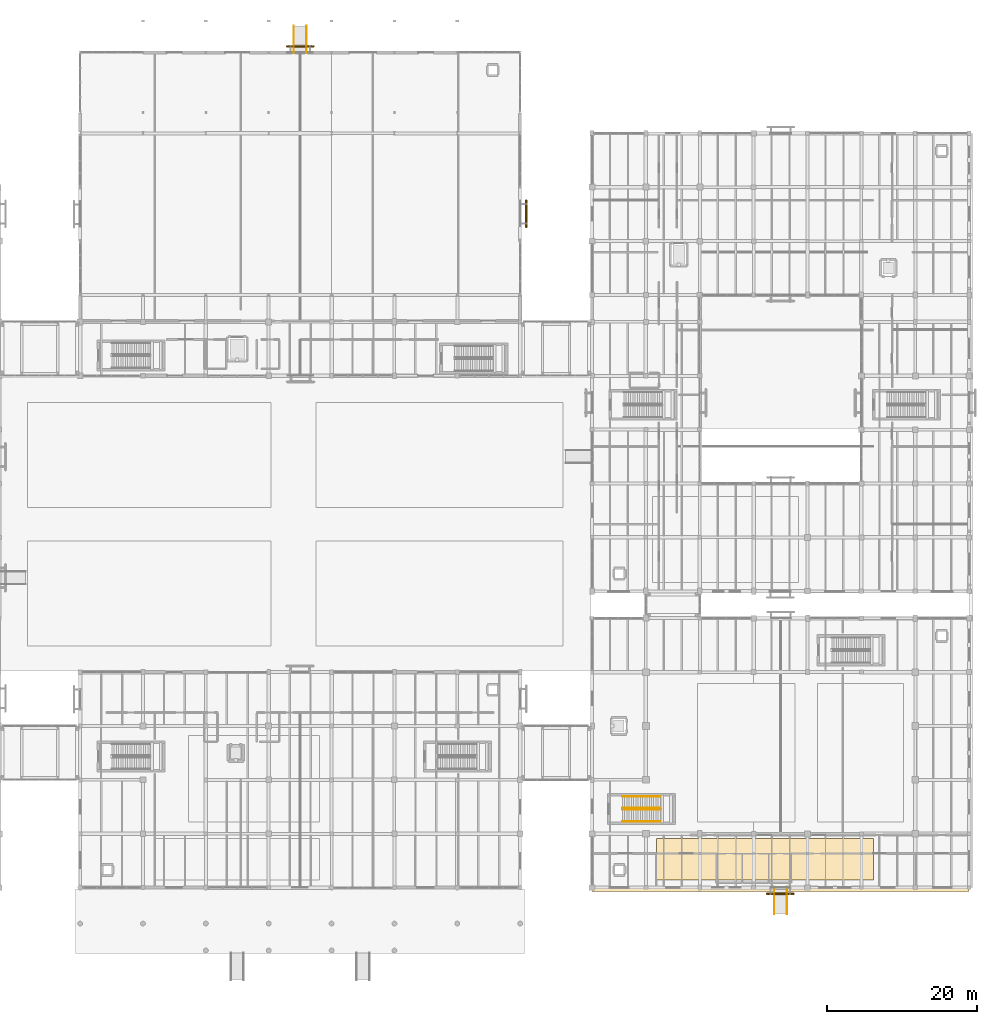
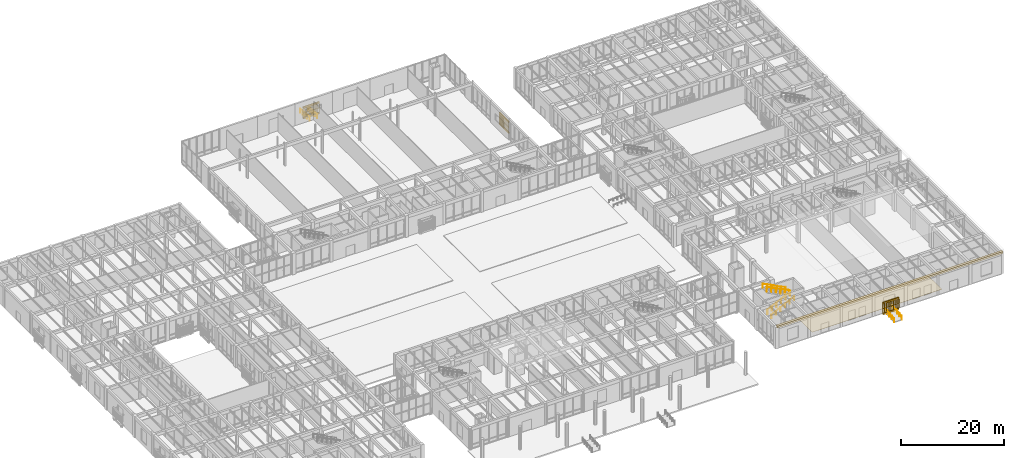
# One storey, part 159 of 169: 14 railings, 8 coverings.
"""IFC4 building model written with IfcOpenShell, lengths in metres."""

import ifcopenshell
import ifcopenshell.guid

model = None  # the IFC model being written
_history = None  # IfcOwnerHistory: only IFC2X3 demands one
_inside = {}  # id of a spatial element -> (the spatial element, [elements in it])
_under = {}  # id of a project, library or spatial element -> (it, [spatial elements below it])
_declared = {}  # id of a project -> (the project, [libraries it declares])
_typed = {}  # id of a type object -> (the type object, [elements of that type])
_made_of = {}  # id of a material, layer set ... -> (it, [elements and type objects made of it])


def new_model(schema):
    """Start an empty IFC model of exactly this schema.

    Asked for "IFC4X3", IfcOpenShell would pick the latest addendum, in which some entities
    have other attributes; the version numbers below select the first issue.
    IFC2X3 requires an IfcOwnerHistory on every rooted entity: one is made here for all.
    """
    global model, _history
    if schema == "IFC4X3":
        model = ifcopenshell.file(schema_version=(4, 3, 0, 0))
    else:
        model = ifcopenshell.file(schema=schema)
    _inside.clear()
    _under.clear()
    _declared.clear()
    _typed.clear()
    _made_of.clear()
    _history = None
    if model.schema == "IFC2X3":
        org = make("IfcOrganization", Name="unknown")
        user = make(
            "IfcPersonAndOrganization",
            ThePerson=make("IfcPerson", FamilyName="unknown"),
            TheOrganization=org,
        )
        app = make(
            "IfcApplication",
            ApplicationDeveloper=org,
            Version="unknown",
            ApplicationFullName="unknown",
            ApplicationIdentifier="unknown",
        )
        _history = make(
            "IfcOwnerHistory",
            OwningUser=user,
            OwningApplication=app,
            ChangeAction="ADDED",
            CreationDate=0,
        )
    return model


def make(cls, **values):
    """One entity of the class cls with the attributes given. An attribute that is None is left unset."""
    return model.create_entity(
        cls, **{name: value for name, value in values.items() if value is not None}
    )


def rooted(cls, **values):
    """An entity with a GlobalId (a new one), such as an element, a storey or a relation."""
    return make(cls, GlobalId=ifcopenshell.guid.new(), OwnerHistory=_history, **values)


def si_unit(unit_type, name, prefix=None):
    """IfcSIUnit, for example si_unit("LENGTHUNIT", "METRE", prefix="MILLI")."""
    return make("IfcSIUnit", UnitType=unit_type, Prefix=prefix, Name=name)


def assignment(units):
    """IfcUnitAssignment: the units of a project."""
    return None if units is None else make("IfcUnitAssignment", Units=units)


def point(xyz):
    """IfcCartesianPoint."""
    return None if xyz is None else make("IfcCartesianPoint", Coordinates=xyz)


def direction(xyz):
    """IfcDirection."""
    return None if xyz is None else make("IfcDirection", DirectionRatios=xyz)


def frame(location, z_axis=None, x_axis=None):
    """IfcAxis2Placement3D, a coordinate frame: its origin and axes. An axis left out is left unset."""
    return make(
        "IfcAxis2Placement3D",
        Location=point(location),
        Axis=direction(z_axis),
        RefDirection=direction(x_axis),
    )


def frame_2d(location, x_axis=None):
    """IfcAxis2Placement2D, a coordinate frame in the plane: its origin and x axis."""
    return make(
        "IfcAxis2Placement2D", Location=point(location), RefDirection=direction(x_axis)
    )


def origin():
    """The frame at (0, 0, 0) with its axes left unset."""
    return frame((0.0, 0.0, 0.0))


def origin_2d():
    """The frame at (0, 0) in the plane with its x axis left unset."""
    return frame_2d((0.0, 0.0))


def place(relative_to, where):
    """IfcLocalPlacement: puts the frame where relative to a parent placement (None: the world)."""
    return make(
        "IfcLocalPlacement", PlacementRelTo=relative_to, RelativePlacement=where
    )


def context(
    kind, dimensions, precision=None, world=None, true_north=None, identifier=None
):
    """IfcGeometricRepresentationContext, for example the 3D "Model" context."""
    return make(
        "IfcGeometricRepresentationContext",
        ContextIdentifier=identifier,
        ContextType=kind,
        CoordinateSpaceDimension=dimensions,
        Precision=precision,
        WorldCoordinateSystem=world,
        TrueNorth=true_north,
    )


def subcontext(parent, identifier, kind, view, scale=None):
    """IfcGeometricRepresentationSubContext, for example "Body" below "Model"."""
    return make(
        "IfcGeometricRepresentationSubContext",
        ContextIdentifier=identifier,
        ContextType=kind,
        ParentContext=parent,
        TargetScale=scale,
        TargetView=view,
    )


def project(units=None, contexts=None):
    """IfcProject with its units and contexts."""
    return rooted(
        "IfcProject",
        Name="project",
        RepresentationContexts=contexts,
        UnitsInContext=assignment(units),
    )


def spatial(cls, under=None, at=None, **own):
    """A site, building, storey or space (cls), placed at a placement, below another one or the project."""
    s = rooted(cls, ObjectPlacement=at, **own)
    if under is not None:
        _under.setdefault(under.id(), (under, []))[1].append(s)
    return s


def polyline(points):
    """IfcPolyline through the points."""
    return make("IfcPolyline", Points=[point(p) for p in points])


def profile(cls, at=None, kind="AREA", **sizes):
    """A parametric profile (cls). Its sizes go by their IFC names, for example OverallWidth=200.0."""
    return make(cls, ProfileType=kind, Position=at, **sizes)


def circle(**sizes):
    """IfcCircleProfileDef."""
    return profile("IfcCircleProfileDef", **sizes)


def outline(outer, holes=None, kind="AREA"):
    """IfcArbitraryClosedProfileDef: a profile drawn as a closed curve; with holes, ...WithVoids."""
    if holes is None:
        return make("IfcArbitraryClosedProfileDef", ProfileType=kind, OuterCurve=outer)
    return make(
        "IfcArbitraryProfileDefWithVoids",
        ProfileType=kind,
        OuterCurve=outer,
        InnerCurves=holes,
    )


def extrude(swept, where, along, depth):
    """IfcExtrudedAreaSolid: the profile swept, set in the frame where, extruded along a direction by depth."""
    return make(
        "IfcExtrudedAreaSolid",
        SweptArea=swept,
        Position=where,
        ExtrudedDirection=direction(along),
        Depth=depth,
    )


def shape(context_of_items, identifier, shape_type, items):
    """IfcShapeRepresentation: the items that make up one representation, for example the "Body"."""
    return make(
        "IfcShapeRepresentation",
        ContextOfItems=context_of_items,
        RepresentationIdentifier=identifier,
        RepresentationType=shape_type,
        Items=items,
    )


def material(Name=None, Category=None):
    """IfcMaterial."""
    return make("IfcMaterial", Name=Name, Category=Category)


def layer(
    of_material, thickness, ventilated=None, Name=None, Category=None, Priority=None
):
    """IfcMaterialLayer: one layer of a wall or slab, of a material (None: an air gap)."""
    return make(
        "IfcMaterialLayer",
        Material=of_material,
        LayerThickness=thickness,
        IsVentilated=ventilated,
        Name=Name,
        Category=Category,
        Priority=Priority,
    )


def layer_set(layers, Name=None):
    """IfcMaterialLayerSet."""
    return make("IfcMaterialLayerSet", MaterialLayers=layers, LayerSetName=Name)


def made_of(thing, what):
    """Note that an element or type object is made of a material, layer set ...; save() writes the relation."""
    if what is not None:
        _made_of.setdefault(what.id(), (what, []))[1].append(thing)
    return thing


def type_object(cls, material=None, **own):
    """A type object (cls), such as IfcWallType, which elements share."""
    return made_of(rooted(cls, **own), material)


def element(
    cls,
    number,
    at=None,
    inside=None,
    cuts=None,
    type_object=None,
    material=None,
    context=None,
    identifier="Body",
    shape_type=None,
    held_by="IfcProductDefinitionShape",
    body=None,
    shapes=None,
    **own,
):
    """One element of the class cls, such as IfcWall. Its Tag is "e" and its number.

    at: its placement. inside: the storey or other place that contains it. cuts: it is an
    opening in that element (IfcRelVoidsElement). A single representation is given by context,
    identifier, shape_type and body (its items); several are given by shapes. held_by: the class
    of the entity that holds the representations. save() writes the other relations.
    """
    e = rooted(cls, Tag="e%d" % number, ObjectPlacement=at, **own)
    if body is not None:
        shapes = [shape(context, identifier, shape_type, body)]
    if shapes is not None:
        e.Representation = make(held_by, Representations=shapes)
    if inside is not None:
        _inside.setdefault(inside.id(), (inside, []))[1].append(e)
    if cuts is not None:
        rooted(
            "IfcRelVoidsElement", RelatingBuildingElement=cuts, RelatedOpeningElement=e
        )
    if type_object is not None:
        _typed.setdefault(type_object.id(), (type_object, []))[1].append(e)
    return made_of(e, material)


def aggregate(whole, parts):
    """IfcRelAggregates: a whole, such as a stair, and the parts it consists of."""
    return rooted("IfcRelAggregates", RelatingObject=whole, RelatedObjects=parts)


def save(model, path):
    """Write the relations noted so far, then the file.

    IfcRelAggregates (storeys below a building ...), IfcRelContainedInSpatialStructure (elements
    in a storey), IfcRelDefinesByType, IfcRelAssociatesMaterial and IfcRelDeclares: one each for
    every whole, place, type object, material and project.
    """
    for whole, parts in _under.values():
        aggregate(whole, parts)
    for where, things in _inside.values():
        rooted(
            "IfcRelContainedInSpatialStructure",
            RelatedElements=things,
            RelatingStructure=where,
        )
    for kind, things in _typed.values():
        rooted("IfcRelDefinesByType", RelatedObjects=things, RelatingType=kind)
    for what, things in _made_of.values():
        rooted("IfcRelAssociatesMaterial", RelatedObjects=things, RelatingMaterial=what)
    for by, libraries in _declared.values():
        rooted("IfcRelDeclares", RelatingContext=by, RelatedDefinitions=libraries)
    model.write(path)


model = new_model("IFC4")

# Units and contexts
model_context = context("Model", 3, precision=1e-05, world=origin(), true_north=direction((0.0, 1.0)))
body_context = subcontext(model_context, "Body", "Model", "MODEL_VIEW")
ifc_project = project(units=[si_unit("LENGTHUNIT", "METRE"), si_unit("AREAUNIT", "SQUARE_METRE"), si_unit("VOLUMEUNIT", "CUBIC_METRE"), si_unit("PLANEANGLEUNIT", "RADIAN"), si_unit("MASSUNIT", "GRAM", prefix="KILO")], contexts=[model_context])

# Site, building, storey
site_placement = place(None, origin())
site = spatial("IfcSite", under=ifc_project, at=site_placement, CompositionType="ELEMENT")
building_placement = place(site_placement, origin())
building = spatial("IfcBuilding", under=site, at=building_placement, Name="Mazaris Harbour Polytechnic", CompositionType="ELEMENT")
storey_placement = place(building_placement, origin())
storey = spatial("IfcBuildingStorey", under=building, at=storey_placement, Name="L00", CompositionType="ELEMENT", Elevation=0.0)

# Railings
ifc_material_1 = material(Name="Stainless Steel S355", Category="steel")
railing_type_1 = type_object("IfcRailingType", Name="Accessible Ramp Handrail 900", PredefinedType="HANDRAIL", material=ifc_material_1)
for number, where, name in (
    (1, (84.25, 122.320068359375, -0.300048828125), "RAMP-05 Handrail L"),
    (2, (82.550048828125, 122.320068359375, -0.300048828125), "RAMP-05 Handrail R"),
):
    element("IfcRailing", number, at=place(storey_placement, frame(where)), inside=storey, type_object=railing_type_1, Name=name, PredefinedType="HANDRAIL", context=body_context, shape_type="SweptSolid", body=[
        extrude(circle(Radius=0.02392578125, at=origin_2d()), frame((0.0, 0.0, 0.8759765625), z_axis=(0.0, -0.996544826035, 0.083056665618), x_axis=(1.0, 0.0, 0.0)), (0.0, 0.0, 1.0), 3.612548828125),
        extrude(circle(Radius=0.02099609375, at=origin_2d()), origin(), (0.0, 0.0, 1.0), 0.851806640625),
        extrude(circle(Radius=0.02099609375, at=origin_2d()), frame((0.0, -0.89990234375, 0.074951171875)), (0.0, 0.0, 1.0), 0.851806640625),
        extrude(circle(Radius=0.02099609375, at=origin_2d()), frame((0.0, -1.800048828125, 0.14990234375)), (0.0, 0.0, 1.0), 0.851806640625),
        extrude(circle(Radius=0.02099609375, at=origin_2d()), frame((0.0, -2.7001953125, 0.22509765625)), (0.0, 0.0, 1.0), 0.851806640625),
        extrude(circle(Radius=0.02099609375, at=origin_2d()), frame((0.0, -3.60009765625, 0.300048828125)), (0.0, 0.0, 1.0), 0.851806640625),
    ])
for number, where, name in (
    (3, (146.75, 3.679931640625, -0.300048828125), "RAMP-06 Handrail L"),
    (4, (148.449951171875, 3.679931640625, -0.300048828125), "RAMP-06 Handrail R"),
):
    element("IfcRailing", number, at=place(storey_placement, frame(where)), inside=storey, type_object=railing_type_1, Name=name, PredefinedType="HANDRAIL", context=body_context, shape_type="SweptSolid", body=[
        extrude(circle(Radius=0.02392578125, at=origin_2d()), frame((0.0, 0.0, 0.8759765625), z_axis=(0.0, 0.996544826035, 0.083056665618), x_axis=(-1.0, 0.0, 0.0)), (0.0, 0.0, 1.0), 3.612548828125),
        extrude(circle(Radius=0.02099609375, at=origin_2d()), origin(), (0.0, 0.0, 1.0), 0.851806640625),
        extrude(circle(Radius=0.02099609375, at=origin_2d()), frame((0.0, 0.89990234375, 0.074951171875)), (0.0, 0.0, 1.0), 0.851806640625),
        extrude(circle(Radius=0.02099609375, at=origin_2d()), frame((0.0, 1.800048828125, 0.14990234375)), (0.0, 0.0, 1.0), 0.851806640625),
        extrude(circle(Radius=0.02099609375, at=origin_2d()), frame((0.0, 2.7001953125, 0.22509765625)), (0.0, 0.0, 1.0), 0.851806640625),
        extrude(circle(Radius=0.02099609375, at=origin_2d()), frame((0.0, 3.60009765625, 0.300048828125)), (0.0, 0.0, 1.0), 0.851806640625),
    ])

# Coverings
ifc_material_2 = material(Name="Honed Stone Terrazzo", Category="masonry")
ifc_layer_1 = layer(ifc_material_2, 0.034912109375, Name="Honed Stone Terrazzo")
ifc_layer_set_1 = layer_set([ifc_layer_1], Name="Honed Stone Terrazzo")
covering_type_1 = type_object("IfcCoveringType", Name="Honed Stone Terrazzo Flooring 35", PredefinedType="FLOORING", material=ifc_layer_set_1)
covering_1_placement = place(storey_placement, origin())
element("IfcCovering", 5, at=covering_1_placement, inside=storey, type_object=covering_type_1, Name="Covering COV-FL-03", PredefinedType="FLOORING", context=body_context, shape_type="SweptSolid", body=[
    extrude(outline(polyline([(131.0, 8.199951171875), (160.0, 8.199951171875), (160.0, 13.800048828125), (131.0, 13.800048828125), (131.0, 8.199951171875)])), origin(), (0.0, 0.0, 1.0), 0.034912109375),
])
ifc_material_3 = material(Name="Algerian Buff Limestone", Category="masonry")
ifc_layer_2 = layer(ifc_material_3, 0.054931640625, Name="Algerian Buff Limestone")
ifc_layer_set_2 = layer_set([ifc_layer_2], Name="Algerian Buff Limestone")
covering_type_2 = type_object("IfcCoveringType", Name="Limestone Colonnade Fascia Cladding 55", PredefinedType="CLADDING", material=ifc_layer_set_2)
covering_2_placement = place(storey_placement, frame((0.0, 0.0, 4.949951171875)))
element("IfcCovering", 6, at=covering_2_placement, inside=storey, type_object=covering_type_2, Name="Covering COV-CL-06", PredefinedType="CLADDING", context=body_context, shape_type="SweptSolid", body=[
    extrude(outline(polyline([(122.39990234375, 6.699951171875), (172.800048828125, 6.699951171875), (172.800048828125, 7.219970703125), (122.39990234375, 7.219970703125), (122.39990234375, 6.699951171875)])), origin(), (0.0, 0.0, 1.0), 0.449951171875),
])

# Railings
ifc_material_4 = material(Name="Perforated Earth-Coloured Terracotta Block", Category="masonry")
railing_type_2 = type_object("IfcRailingType", Name="Perforated Earth-Block Claustra Lattice 1040", PredefinedType="BALUSTRADE", material=ifc_material_4)
for number, where, name in (
    (7, (81.60009765625, 119.6201171875, 0.52001953125), "V1 L00 Lower Perforated Terracotta Block Screen 2"),
    (8, (81.60009765625, 119.6201171875, 1.610107421875), "V1 L00 Upper Perforated Terracotta Block Screen 2"),
):
    element("IfcRailing", number, at=place(storey_placement, frame(where)), inside=storey, type_object=railing_type_2, Name=name, PredefinedType="BALUSTRADE", context=body_context, shape_type="SweptSolid", body=[
        extrude(circle(Radius=0.06982421875, at=origin_2d()), frame((0.0, 0.0, 1.02001953125), z_axis=(1.0, 0.0, 0.0), x_axis=(0.0, 1.0, 0.0)), (0.0, 0.0, 1.0), 3.599853515625),
        extrude(circle(Radius=0.074951171875, at=origin_2d()), origin(), (0.0, 0.0, 1.0), 0.9501953125),
        extrude(circle(Radius=0.074951171875, at=origin_2d()), frame((0.449951171875, 0.0, 0.0)), (0.0, 0.0, 1.0), 0.9501953125),
        extrude(circle(Radius=0.074951171875, at=origin_2d()), frame((0.89990234375, 0.0, 0.0)), (0.0, 0.0, 1.0), 0.9501953125),
        extrude(circle(Radius=0.074951171875, at=origin_2d()), frame((1.349853515625, 0.0, 0.0)), (0.0, 0.0, 1.0), 0.9501953125),
        extrude(circle(Radius=0.074951171875, at=origin_2d()), frame((1.7998046875, 0.0, 0.0)), (0.0, 0.0, 1.0), 0.9501953125),
        extrude(circle(Radius=0.074951171875, at=origin_2d()), frame((2.25, 0.0, 0.0)), (0.0, 0.0, 1.0), 0.9501953125),
        extrude(circle(Radius=0.074951171875, at=origin_2d()), frame((2.699951171875, 0.0, 0.0)), (0.0, 0.0, 1.0), 0.9501953125),
        extrude(circle(Radius=0.074951171875, at=origin_2d()), frame((3.14990234375, 0.0, 0.0)), (0.0, 0.0, 1.0), 0.9501953125),
        extrude(circle(Radius=0.074951171875, at=origin_2d()), frame((3.599853515625, 0.0, 0.0)), (0.0, 0.0, 1.0), 0.9501953125),
    ])
for number, where, name in (
    (9, (113.6201171875, 99.0625, 0.52001953125), "V1 L00 Lower Perforated Terracotta Block Screen 4"),
    (10, (113.6201171875, 99.0625, 1.610107421875), "V1 L00 Upper Perforated Terracotta Block Screen 4"),
):
    element("IfcRailing", number, at=place(storey_placement, frame(where)), inside=storey, type_object=railing_type_2, Name=name, PredefinedType="BALUSTRADE", context=body_context, shape_type="SweptSolid", body=[
        extrude(circle(Radius=0.06982421875, at=origin_2d()), frame((0.0, 0.0, 1.02001953125), z_axis=(0.0, -1.0, 0.0), x_axis=(1.0, 0.0, 0.0)), (0.0, 0.0, 1.0), 3.60009765625),
        extrude(circle(Radius=0.074951171875, at=origin_2d()), origin(), (0.0, 0.0, 1.0), 0.9501953125),
        extrude(circle(Radius=0.074951171875, at=origin_2d()), frame((0.0, -0.39990234375, 0.0)), (0.0, 0.0, 1.0), 0.9501953125),
        extrude(circle(Radius=0.074951171875, at=origin_2d()), frame((0.0, -0.800048828125, 0.0)), (0.0, 0.0, 1.0), 0.9501953125),
        extrude(circle(Radius=0.074951171875, at=origin_2d()), frame((0.0, -1.199951171875, 0.0)), (0.0, 0.0, 1.0), 0.9501953125),
        extrude(circle(Radius=0.074951171875, at=origin_2d()), frame((0.0, -1.60009765625, 0.0)), (0.0, 0.0, 1.0), 0.9501953125),
        extrude(circle(Radius=0.074951171875, at=origin_2d()), frame((0.0, -2.0, 0.0)), (0.0, 0.0, 1.0), 0.9501953125),
        extrude(circle(Radius=0.074951171875, at=origin_2d()), frame((0.0, -2.400146484375, 0.0)), (0.0, 0.0, 1.0), 0.9501953125),
        extrude(circle(Radius=0.074951171875, at=origin_2d()), frame((0.0, -2.800048828125, 0.0)), (0.0, 0.0, 1.0), 0.9501953125),
        extrude(circle(Radius=0.074951171875, at=origin_2d()), frame((0.0, -3.2001953125, 0.0)), (0.0, 0.0, 1.0), 0.9501953125),
        extrude(circle(Radius=0.074951171875, at=origin_2d()), frame((0.0, -3.60009765625, 0.0)), (0.0, 0.0, 1.0), 0.9501953125),
    ])
for number, where, name in (
    (11, (149.35009765625, 6.3798828125, 0.52001953125), "V2 L00 Lower Perforated Terracotta Block Screen 43"),
    (12, (149.35009765625, 6.3798828125, 1.610107421875), "V2 L00 Upper Perforated Terracotta Block Screen 43"),
):
    element("IfcRailing", number, at=place(storey_placement, frame(where)), inside=storey, type_object=railing_type_2, Name=name, PredefinedType="BALUSTRADE", context=body_context, shape_type="SweptSolid", body=[
        extrude(circle(Radius=0.06982421875, at=origin_2d()), frame((0.0, 0.0, 1.02001953125), z_axis=(-1.0, 0.0, 0.0), x_axis=(0.0, -1.0, 0.0)), (0.0, 0.0, 1.0), 3.60009765625),
        extrude(circle(Radius=0.074951171875, at=origin_2d()), origin(), (0.0, 0.0, 1.0), 0.9501953125),
        extrude(circle(Radius=0.074951171875, at=origin_2d()), frame((-0.39990234375, 0.0, 0.0)), (0.0, 0.0, 1.0), 0.9501953125),
        extrude(circle(Radius=0.074951171875, at=origin_2d()), frame((-0.800048828125, 0.0, 0.0)), (0.0, 0.0, 1.0), 0.9501953125),
        extrude(circle(Radius=0.074951171875, at=origin_2d()), frame((-1.199951171875, 0.0, 0.0)), (0.0, 0.0, 1.0), 0.9501953125),
        extrude(circle(Radius=0.074951171875, at=origin_2d()), frame((-1.60009765625, 0.0, 0.0)), (0.0, 0.0, 1.0), 0.9501953125),
        extrude(circle(Radius=0.074951171875, at=origin_2d()), frame((-2.0, 0.0, 0.0)), (0.0, 0.0, 1.0), 0.9501953125),
        extrude(circle(Radius=0.074951171875, at=origin_2d()), frame((-2.400146484375, 0.0, 0.0)), (0.0, 0.0, 1.0), 0.9501953125),
        extrude(circle(Radius=0.074951171875, at=origin_2d()), frame((-2.800048828125, 0.0, 0.0)), (0.0, 0.0, 1.0), 0.9501953125),
        extrude(circle(Radius=0.074951171875, at=origin_2d()), frame((-3.2001953125, 0.0, 0.0)), (0.0, 0.0, 1.0), 0.9501953125),
        extrude(circle(Radius=0.074951171875, at=origin_2d()), frame((-3.60009765625, 0.0, 0.0)), (0.0, 0.0, 1.0), 0.9501953125),
    ])
ifc_material_5 = material(Name="Stainless Steel S355", Category="steel")
railing_type_3 = type_object("IfcRailingType", Name="Stair Wall Handrail 900", PredefinedType="HANDRAIL", material=ifc_material_5)
railing_1_placement = place(storey_placement, frame((126.449951171875, 16.050048828125, 0.14990234375)))
element("IfcRailing", 13, at=railing_1_placement, inside=storey, type_object=railing_type_3, Name="L00 ST03 stair handrail 1", PredefinedType="HANDRAIL", context=body_context, shape_type="SweptSolid", body=[
    extrude(circle(Radius=0.02392578125, at=origin_2d()), frame((0.0, 0.0, 0.8759765625), z_axis=(0.894427191, 0.0, 0.4472135955), x_axis=(0.0, 1.0, 0.0)), (0.0, 0.0, 1.0), 5.7021484375),
    extrude(circle(Radius=0.02099609375, at=origin_2d()), origin(), (0.0, 0.0, 1.0), 0.851806640625),
    extrude(circle(Radius=0.02099609375, at=origin_2d()), frame((1.02001953125, 0.0, 0.510009765625)), (0.0, 0.0, 1.0), 0.851806640625),
    extrude(circle(Radius=0.02099609375, at=origin_2d()), frame((2.0400390625, 0.0, 1.02001953125)), (0.0, 0.0, 1.0), 0.851806640625),
    extrude(circle(Radius=0.02099609375, at=origin_2d()), frame((3.06005859375, 0.0, 1.530029296875)), (0.0, 0.0, 1.0), 0.851806640625),
    extrude(circle(Radius=0.02099609375, at=origin_2d()), frame((4.080078125, 0.0, 2.0400390625)), (0.0, 0.0, 1.0), 0.851806640625),
    extrude(circle(Radius=0.02099609375, at=origin_2d()), frame((5.10009765625, 0.0, 2.550048828125)), (0.0, 0.0, 1.0), 0.851806640625),
])
railing_2_placement = place(storey_placement, frame((131.550048828125, 19.39990234375, 2.85009765625)))
element("IfcRailing", 14, at=railing_2_placement, inside=storey, type_object=railing_type_3, Name="L00 ST03 stair handrail 2", PredefinedType="HANDRAIL", context=body_context, shape_type="SweptSolid", body=[
    extrude(circle(Radius=0.02392578125, at=origin_2d()), frame((0.0, 0.0, 0.8759765625), z_axis=(-0.89444431709, 0.0, 0.44717934168), x_axis=(0.0, -1.0, 0.0)), (0.0, 0.0, 1.0), 5.701904296875),
    extrude(circle(Radius=0.02099609375, at=origin_2d()), origin(), (0.0, 0.0, 1.0), 0.851806640625),
    extrude(circle(Radius=0.02099609375, at=origin_2d()), frame((-1.02001953125, 0.0, 0.510009765625)), (0.0, 0.0, 1.0), 0.851806640625),
    extrude(circle(Radius=0.02099609375, at=origin_2d()), frame((-2.0400390625, 0.0, 1.02001953125)), (0.0, 0.0, 1.0), 0.851806640625),
    extrude(circle(Radius=0.02099609375, at=origin_2d()), frame((-3.06005859375, 0.0, 1.52978515625)), (0.0, 0.0, 1.0), 0.851806640625),
    extrude(circle(Radius=0.02099609375, at=origin_2d()), frame((-4.080078125, 0.0, 2.039794921875)), (0.0, 0.0, 1.0), 0.851806640625),
    extrude(circle(Radius=0.02099609375, at=origin_2d()), frame((-5.10009765625, 0.0, 2.5498046875)), (0.0, 0.0, 1.0), 0.851806640625),
])
ifc_material_6 = material(Name="Steel S355", Category="steel")
railing_type_4 = type_object("IfcRailingType", Name="Stair Well Guardrail 1100", PredefinedType="GUARDRAIL", material=ifc_material_6)
railing_3_placement = place(storey_placement, frame((126.449951171875, 17.60009765625, 0.14990234375)))
element("IfcRailing", 15, at=railing_3_placement, inside=storey, type_object=railing_type_4, Name="L00 ST03 stair guard 1", PredefinedType="GUARDRAIL", context=body_context, shape_type="SweptSolid", body=[
    extrude(circle(Radius=0.02392578125, at=origin_2d()), frame((0.0, 0.0, 1.076171875), z_axis=(0.894427191, 0.0, 0.4472135955), x_axis=(0.0, 1.0, 0.0)), (0.0, 0.0, 1.0), 5.7021484375),
    extrude(circle(Radius=0.02099609375, at=origin_2d()), origin(), (0.0, 0.0, 1.0), 1.052001953125),
    extrude(circle(Radius=0.02099609375, at=origin_2d()), frame((1.02001953125, 0.0, 0.510009765625)), (0.0, 0.0, 1.0), 1.052001953125),
    extrude(circle(Radius=0.02099609375, at=origin_2d()), frame((2.0400390625, 0.0, 1.02001953125)), (0.0, 0.0, 1.0), 1.052001953125),
    extrude(circle(Radius=0.02099609375, at=origin_2d()), frame((3.06005859375, 0.0, 1.530029296875)), (0.0, 0.0, 1.0), 1.052001953125),
    extrude(circle(Radius=0.02099609375, at=origin_2d()), frame((4.080078125, 0.0, 2.0400390625)), (0.0, 0.0, 1.0), 1.052001953125),
    extrude(circle(Radius=0.02099609375, at=origin_2d()), frame((5.10009765625, 0.0, 2.550048828125)), (0.0, 0.0, 1.0), 1.052001953125),
])
railing_4_placement = place(storey_placement, frame((131.550048828125, 17.85009765625, 2.85009765625)))
element("IfcRailing", 16, at=railing_4_placement, inside=storey, type_object=railing_type_4, Name="L00 ST03 stair guard 3", PredefinedType="GUARDRAIL", context=body_context, shape_type="SweptSolid", body=[
    extrude(circle(Radius=0.02392578125, at=origin_2d()), frame((0.0, 0.0, 1.076171875), z_axis=(-0.89444431709, 0.0, 0.44717934168), x_axis=(0.0, -1.0, 0.0)), (0.0, 0.0, 1.0), 5.701904296875),
    extrude(circle(Radius=0.02099609375, at=origin_2d()), origin(), (0.0, 0.0, 1.0), 1.052001953125),
    extrude(circle(Radius=0.02099609375, at=origin_2d()), frame((-1.02001953125, 0.0, 0.510009765625)), (0.0, 0.0, 1.0), 1.052001953125),
    extrude(circle(Radius=0.02099609375, at=origin_2d()), frame((-2.0400390625, 0.0, 1.02001953125)), (0.0, 0.0, 1.0), 1.052001953125),
    extrude(circle(Radius=0.02099609375, at=origin_2d()), frame((-3.06005859375, 0.0, 1.52978515625)), (0.0, 0.0, 1.0), 1.052001953125),
    extrude(circle(Radius=0.02099609375, at=origin_2d()), frame((-4.080078125, 0.0, 2.039794921875)), (0.0, 0.0, 1.0), 1.052001953125),
    extrude(circle(Radius=0.02099609375, at=origin_2d()), frame((-5.10009765625, 0.0, 2.5498046875)), (0.0, 0.0, 1.0), 1.052001953125),
])

# Coverings
ifc_material_7 = material(Name="Perforated Earth-Coloured Terracotta Block", Category="masonry")
ifc_layer_3 = layer(ifc_material_7, 0.219970703125, Name="Perforated Earth-Coloured Terracotta Block")
ifc_layer_set_3 = layer_set([ifc_layer_3], Name="Perforated Earth-Coloured Terracotta Block")
covering_type_3 = type_object("IfcCoveringType", Name="Terracotta Screen Course Cladding 220", PredefinedType="CLADDING", material=ifc_layer_set_3)
covering_3_placement = place(storey_placement, frame((0.0, 0.0, 0.159912109375)))
element("IfcCovering", 17, at=covering_3_placement, inside=storey, type_object=covering_type_3, Name="V1 L00 Perforated Screen Sill Course 2", PredefinedType="CLADDING", context=body_context, shape_type="SweptSolid", body=[
    extrude(outline(polyline([(81.60009765625, 119.510009765625), (85.199951171875, 119.510009765625), (85.199951171875, 119.72998046875), (81.60009765625, 119.72998046875), (81.60009765625, 119.510009765625)])), origin(), (0.0, 0.0, 1.0), 0.360107421875),
])
covering_4_placement = place(storey_placement, frame((0.0, 0.0, 2.699951171875)))
element("IfcCovering", 18, at=covering_4_placement, inside=storey, type_object=covering_type_3, Name="V1 L00 Perforated Screen Lintel Course 2", PredefinedType="CLADDING", context=body_context, shape_type="SweptSolid", body=[
    extrude(outline(polyline([(81.60009765625, 119.510009765625), (85.199951171875, 119.510009765625), (85.199951171875, 119.72998046875), (81.60009765625, 119.72998046875), (81.60009765625, 119.510009765625)])), origin(), (0.0, 0.0, 1.0), 0.340087890625),
])
covering_5_placement = place(storey_placement, frame((0.0, 0.0, 0.159912109375)))
element("IfcCovering", 19, at=covering_5_placement, inside=storey, type_object=covering_type_3, Name="V1 L00 Perforated Screen Sill Course 4", PredefinedType="CLADDING", context=body_context, shape_type="SweptSolid", body=[
    extrude(outline(polyline([(113.510009765625, 99.0625), (113.510009765625, 95.46240234375), (113.72998046875, 95.46240234375), (113.72998046875, 99.0625), (113.510009765625, 99.0625)])), origin(), (0.0, 0.0, 1.0), 0.360107421875),
])
covering_6_placement = place(storey_placement, frame((0.0, 0.0, 2.699951171875)))
element("IfcCovering", 20, at=covering_6_placement, inside=storey, type_object=covering_type_3, Name="V1 L00 Perforated Screen Lintel Course 4", PredefinedType="CLADDING", context=body_context, shape_type="SweptSolid", body=[
    extrude(outline(polyline([(113.510009765625, 99.0625), (113.510009765625, 95.46240234375), (113.72998046875, 95.46240234375), (113.72998046875, 99.0625), (113.510009765625, 99.0625)])), origin(), (0.0, 0.0, 1.0), 0.340087890625),
])
covering_7_placement = place(storey_placement, frame((0.0, 0.0, 0.159912109375)))
element("IfcCovering", 21, at=covering_7_placement, inside=storey, type_object=covering_type_3, Name="V2 L00 Perforated Screen Sill Course 43", PredefinedType="CLADDING", context=body_context, shape_type="SweptSolid", body=[
    extrude(outline(polyline([(149.35009765625, 6.489990234375), (145.75, 6.489990234375), (145.75, 6.27001953125), (149.35009765625, 6.27001953125), (149.35009765625, 6.489990234375)])), origin(), (0.0, 0.0, 1.0), 0.360107421875),
])
covering_8_placement = place(storey_placement, frame((0.0, 0.0, 2.699951171875)))
element("IfcCovering", 22, at=covering_8_placement, inside=storey, type_object=covering_type_3, Name="V2 L00 Perforated Screen Lintel Course 43", PredefinedType="CLADDING", context=body_context, shape_type="SweptSolid", body=[
    extrude(outline(polyline([(149.35009765625, 6.489990234375), (145.75, 6.489990234375), (145.75, 6.27001953125), (149.35009765625, 6.27001953125), (149.35009765625, 6.489990234375)])), origin(), (0.0, 0.0, 1.0), 0.340087890625),
])

save(model, "model.ifc")
